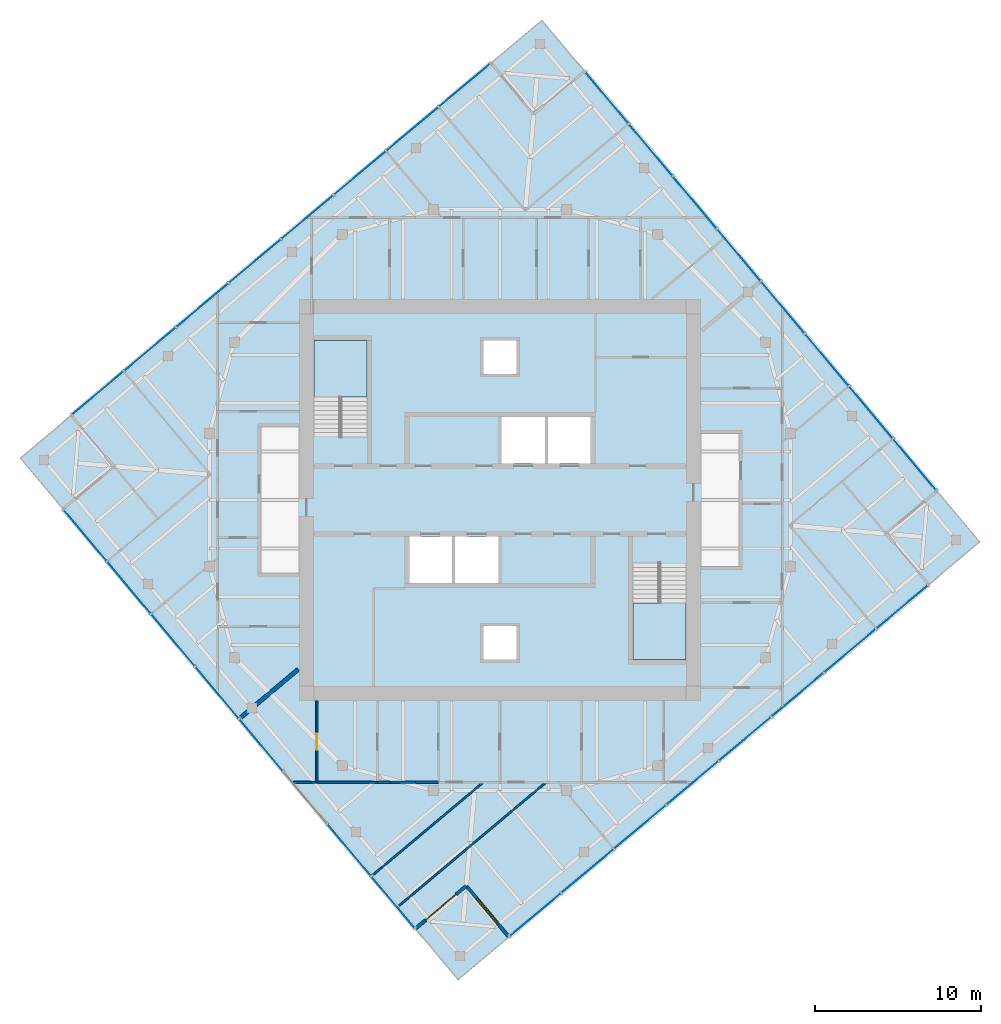
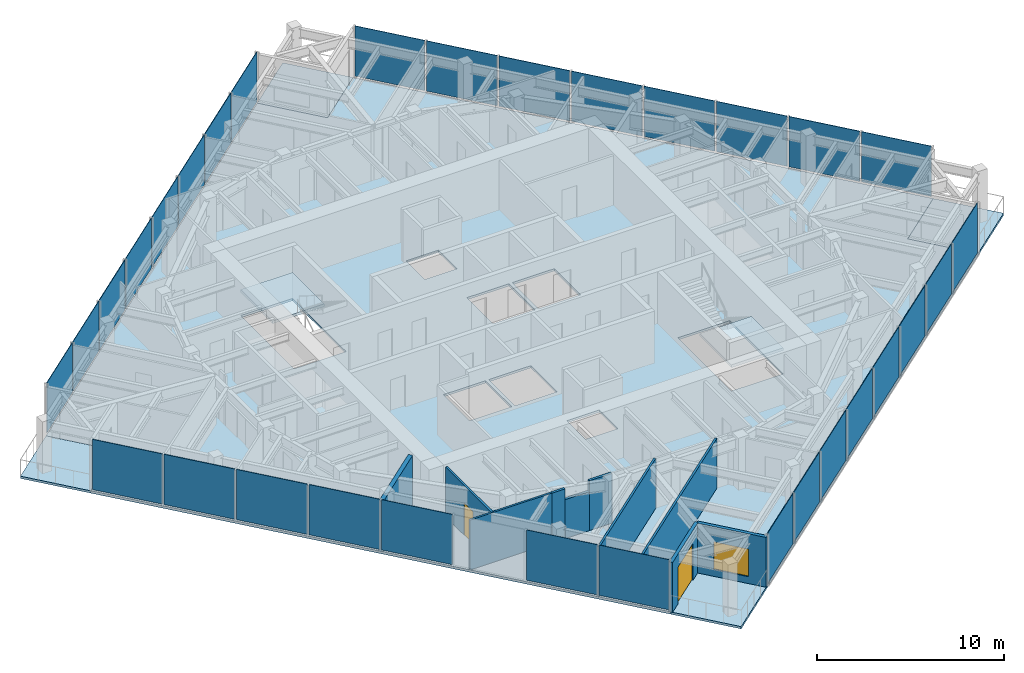
# One storey, part 6 of 11: 31 plates, 10 walls, 7 slabs, 2 doors, 1 window, 3 openings, 6 elements without a shape of their own.
"""IFC4 building model written with IfcOpenShell, lengths in metres."""

from ifc_helpers import new_model, si_unit, direction, frame, frame_2d, origin, origin_2d, place, context, subcontext, project, spatial, polyline, rectangle, outline, extrude, material, layer, layer_set, type_object, element, fill, aggregate, save


model = new_model("IFC4")

# Units and contexts
model_context = context("Model", 3, precision=1e-05, world=origin(), true_north=direction((0.0, 1.0)))
body_context = subcontext(model_context, "Body", "Model", "MODEL_VIEW")
ifc_project = project(units=[si_unit("LENGTHUNIT", "METRE"), si_unit("AREAUNIT", "SQUARE_METRE"), si_unit("VOLUMEUNIT", "CUBIC_METRE"), si_unit("PLANEANGLEUNIT", "RADIAN"), si_unit("MASSUNIT", "GRAM", prefix="KILO")], contexts=[model_context])

# Site, building, storey
site_placement = place(None, origin())
site = spatial("IfcSite", under=ifc_project, at=site_placement, CompositionType="ELEMENT")
building_placement = place(site_placement, origin())
building = spatial("IfcBuilding", under=site, at=building_placement, Name="Torsade Residences", CompositionType="ELEMENT")
storey_placement = place(building_placement, frame((0.0, 0.0, 276.0)))
storey = spatial("IfcBuildingStorey", under=building, at=storey_placement, Name="L76", CompositionType="ELEMENT", Elevation=276.0)

# Slab
ifc_material_1 = material(Name="Concrete 40 MPa", Category="concrete")
ifc_layer_1 = layer(ifc_material_1, 0.14990234375)
ifc_layer_set_1 = layer_set([ifc_layer_1], Name="Concrete 40 MPa")
slab_type_1 = type_object("IfcSlabType", Name="COMPOSITE FLOOR SLAB 150", PredefinedType="FLOOR", material=ifc_layer_set_1)
slab_1_placement = place(storey_placement, frame((0.0, 0.0, -0.14990234375)))
element("IfcSlab", 1, at=slab_1_placement, inside=storey, type_object=slab_type_1, Name="Floor slab L76", PredefinedType="FLOOR", context=body_context, shape_type="SweptSolid", body=[
    extrude(outline(polyline([(40.537353515625, 3.690185546875), (65.81689453125, 24.902099609375), (63.245849609375, 27.96630859375), (66.309814453125, 30.537353515625), (45.097900390625, 55.81689453125), (42.03369140625, 53.245849609375), (39.462646484375, 56.309814453125), (14.18310546875, 35.097900390625), (16.754150390625, 32.03369140625), (13.690185546875, 29.462646484375), (34.902099609375, 4.18310546875), (37.96630859375, 6.754150390625), (40.537353515625, 3.690185546875)]), holes=[polyline([(51.199951171875, 26.1201171875), (48.0, 26.1201171875), (48.0, 20.39990234375), (51.199951171875, 20.39990234375), (51.199951171875, 26.1201171875)]), polyline([(45.5, 35.0), (42.89990234375, 35.0), (42.89990234375, 32.199951171875), (45.5, 32.199951171875), (45.5, 35.0)]), polyline([(42.699951171875, 35.0), (40.10009765625, 35.0), (40.10009765625, 32.199951171875), (42.699951171875, 32.199951171875), (42.699951171875, 35.0)]), polyline([(41.0, 22.39990234375), (39.0, 22.39990234375), (39.0, 20.39990234375), (41.0, 20.39990234375), (41.0, 22.39990234375)]), polyline([(41.0, 39.60009765625), (39.0, 39.60009765625), (39.0, 37.60009765625), (41.0, 37.60009765625), (41.0, 39.60009765625)]), polyline([(39.89990234375, 27.800048828125), (37.300048828125, 27.800048828125), (37.300048828125, 25.0), (39.89990234375, 25.0), (39.89990234375, 27.800048828125)]), polyline([(37.10009765625, 27.800048828125), (34.5, 27.800048828125), (34.5, 25.0), (37.10009765625, 25.0), (37.10009765625, 27.800048828125)]), polyline([(32.0, 39.60009765625), (28.800048828125, 39.60009765625), (28.800048828125, 33.8798828125), (32.0, 33.8798828125), (32.0, 39.60009765625)])]), origin(), (0.0, 0.0, 1.0), 0.14990234375),
])

# Curtain wall, plates
ifc_material_2 = material(Name="Aluminium and glass", Category="aluminium")
curtain_wall_type = type_object("IfcCurtainWallType", Name="FRITTED GLASS CURTAIN WALL HIGH ZONE", PredefinedType="NOTDEFINED", material=ifc_material_2)
curtain_wall_1_placement = place(storey_placement, origin())
curtain_wall_1 = element("IfcCurtainWall", 2, at=curtain_wall_1_placement, inside=storey, type_object=curtain_wall_type, Name="Curtain wall L76 face 1", PredefinedType="NOTDEFINED")
ifc_material_3 = material(Name="Laminated glass", Category="glass")
ifc_layer_2 = layer(ifc_material_3, 0.031982421875)
ifc_layer_set_2 = layer_set([ifc_layer_2], Name="Laminated glass")
plate_type_1 = type_object("IfcPlateType", Name="FRITTED GLASS PANEL", PredefinedType="CURTAIN_PANEL", material=ifc_layer_set_2)
plate_1_placement = place(storey_placement, frame((42.136474609375, 5.031982421875, 0.1201171875), z_axis=(0.0, 0.0, 1.0), x_axis=(0.766044437106, 0.642787616853, 0.0)))
plate_1 = element("IfcPlate", 3, at=plate_1_placement, type_object=plate_type_1, Name="Panel 1", PredefinedType="CURTAIN_PANEL", context=body_context, shape_type="SweptSolid", body=[
    extrude(rectangle(XDim=3.97509765625, YDim=0.031982421875, at=origin_2d()), origin(), (0.0, 0.0, 1.0), 3.280029296875),
])
plate_2_placement = place(storey_placement, frame((48.437255859375, 10.31884765625, 0.1201171875), z_axis=(0.0, 0.0, 1.0), x_axis=(0.766044437106, 0.642787616853, 0.0)))
plate_2 = element("IfcPlate", 4, at=plate_2_placement, type_object=plate_type_1, Name="Panel 3", PredefinedType="CURTAIN_PANEL", context=body_context, shape_type="SweptSolid", body=[
    extrude(rectangle(XDim=4.02490234375, YDim=0.031982421875, at=origin_2d()), origin(), (0.0, 0.0, 1.0), 3.280029296875),
])
plate_3_placement = place(storey_placement, frame((51.59716796875, 12.970458984375, 0.1201171875), z_axis=(0.0, 0.0, 1.0), x_axis=(0.766044437106, 0.642787616853, 0.0)))
plate_3 = element("IfcPlate", 5, at=plate_3_placement, type_object=plate_type_1, Name="Panel 4", PredefinedType="CURTAIN_PANEL", context=body_context, shape_type="SweptSolid", body=[
    extrude(rectangle(XDim=4.02490234375, YDim=0.031982421875, at=origin_2d()), origin(), (0.0, 0.0, 1.0), 3.280029296875),
])
plate_4_placement = place(storey_placement, frame((54.757080078125, 15.621826171875, 0.1201171875), z_axis=(0.0, 0.0, 1.0), x_axis=(0.766044437106, 0.642787616853, 0.0)))
plate_4 = element("IfcPlate", 6, at=plate_4_placement, type_object=plate_type_1, Name="Panel 5", PredefinedType="CURTAIN_PANEL", context=body_context, shape_type="SweptSolid", body=[
    extrude(rectangle(XDim=4.02490234375, YDim=0.031982421875, at=origin_2d()), origin(), (0.0, 0.0, 1.0), 3.280029296875),
])
plate_5_placement = place(storey_placement, frame((61.076904296875, 20.9248046875, 0.1201171875), z_axis=(0.0, 0.0, 1.0), x_axis=(0.766044437106, 0.642787616853, 0.0)))
plate_5 = element("IfcPlate", 7, at=plate_5_placement, type_object=plate_type_1, Name="Panel 7", PredefinedType="CURTAIN_PANEL", context=body_context, shape_type="SweptSolid", body=[
    extrude(rectangle(XDim=4.02490234375, YDim=0.031982421875, at=origin_2d()), origin(), (0.0, 0.0, 1.0), 3.280029296875),
])
plate_6_placement = place(storey_placement, frame((64.2177734375, 23.560302734375, 0.1201171875), z_axis=(0.0, 0.0, 1.0), x_axis=(0.766044437106, 0.642787616853, 0.0)))
plate_6 = element("IfcPlate", 8, at=plate_6_placement, type_object=plate_type_1, Name="Panel 8", PredefinedType="CURTAIN_PANEL", context=body_context, shape_type="SweptSolid", body=[
    extrude(rectangle(XDim=3.97509765625, YDim=0.031982421875, at=origin_2d()), origin(), (0.0, 0.0, 1.0), 3.280029296875),
])

curtain_wall_2_placement = place(storey_placement, origin())
curtain_wall_2 = element("IfcCurtainWall", 9, at=curtain_wall_2_placement, inside=storey, type_object=curtain_wall_type, Name="Curtain wall L76 face 4", PredefinedType="NOTDEFINED")
plate_7_placement = place(storey_placement, frame((64.968017578125, 32.136474609375, 0.1201171875), z_axis=(0.0, 0.0, 1.0), x_axis=(-0.642787616853, 0.766044437106, 0.0)))
plate_7 = element("IfcPlate", 10, at=plate_7_placement, type_object=plate_type_1, Name="Panel 1", PredefinedType="CURTAIN_PANEL", context=body_context, shape_type="SweptSolid", body=[
    extrude(rectangle(XDim=3.97509765625, YDim=0.031982421875, at=origin_2d()), origin(), (0.0, 0.0, 1.0), 3.280029296875),
])
plate_8_placement = place(storey_placement, frame((59.68115234375, 38.437255859375, 0.1201171875), z_axis=(0.0, 0.0, 1.0), x_axis=(-0.642787616853, 0.766044437106, 0.0)))
plate_8 = element("IfcPlate", 11, at=plate_8_placement, type_object=plate_type_1, Name="Panel 3", PredefinedType="CURTAIN_PANEL", context=body_context, shape_type="SweptSolid", body=[
    extrude(rectangle(XDim=4.02490234375, YDim=0.031982421875, at=origin_2d()), origin(), (0.0, 0.0, 1.0), 3.280029296875),
])
plate_9_placement = place(storey_placement, frame((57.029541015625, 41.59716796875, 0.1201171875), z_axis=(0.0, 0.0, 1.0), x_axis=(-0.642787616853, 0.766044437106, 0.0)))
plate_9 = element("IfcPlate", 12, at=plate_9_placement, type_object=plate_type_1, Name="Panel 4", PredefinedType="CURTAIN_PANEL", context=body_context, shape_type="SweptSolid", body=[
    extrude(rectangle(XDim=4.02490234375, YDim=0.031982421875, at=origin_2d()), origin(), (0.0, 0.0, 1.0), 3.280029296875),
])
plate_10_placement = place(storey_placement, frame((54.378173828125, 44.757080078125, 0.1201171875), z_axis=(0.0, 0.0, 1.0), x_axis=(-0.642787616853, 0.766044437106, 0.0)))
plate_10 = element("IfcPlate", 13, at=plate_10_placement, type_object=plate_type_1, Name="Panel 5", PredefinedType="CURTAIN_PANEL", context=body_context, shape_type="SweptSolid", body=[
    extrude(rectangle(XDim=4.02490234375, YDim=0.031982421875, at=origin_2d()), origin(), (0.0, 0.0, 1.0), 3.280029296875),
])
plate_11_placement = place(storey_placement, frame((49.0751953125, 51.076904296875, 0.1201171875), z_axis=(0.0, 0.0, 1.0), x_axis=(-0.642787616853, 0.766044437106, 0.0)))
plate_11 = element("IfcPlate", 14, at=plate_11_placement, type_object=plate_type_1, Name="Panel 7", PredefinedType="CURTAIN_PANEL", context=body_context, shape_type="SweptSolid", body=[
    extrude(rectangle(XDim=4.02490234375, YDim=0.031982421875, at=origin_2d()), origin(), (0.0, 0.0, 1.0), 3.280029296875),
])
plate_12_placement = place(storey_placement, frame((46.439697265625, 54.2177734375, 0.1201171875), z_axis=(0.0, 0.0, 1.0), x_axis=(-0.642787616853, 0.766044437106, 0.0)))
plate_12 = element("IfcPlate", 15, at=plate_12_placement, type_object=plate_type_1, Name="Panel 8", PredefinedType="CURTAIN_PANEL", context=body_context, shape_type="SweptSolid", body=[
    extrude(rectangle(XDim=3.97509765625, YDim=0.031982421875, at=origin_2d()), origin(), (0.0, 0.0, 1.0), 3.280029296875),
])

curtain_wall_3_placement = place(storey_placement, origin())
curtain_wall_3 = element("IfcCurtainWall", 16, at=curtain_wall_3_placement, inside=storey, type_object=curtain_wall_type, Name="Curtain wall L76 face 7", PredefinedType="NOTDEFINED")
plate_13_placement = place(storey_placement, frame((37.863525390625, 54.968017578125, 0.1201171875), z_axis=(0.0, 0.0, 1.0), x_axis=(-0.766044437106, -0.642787616853, 0.0)))
plate_13 = element("IfcPlate", 17, at=plate_13_placement, type_object=plate_type_1, Name="Panel 1", PredefinedType="CURTAIN_PANEL", context=body_context, shape_type="SweptSolid", body=[
    extrude(rectangle(XDim=3.97509765625, YDim=0.031982421875, at=origin_2d()), origin(), (0.0, 0.0, 1.0), 3.280029296875),
])
plate_14_placement = place(storey_placement, frame((31.562744140625, 49.68115234375, 0.1201171875), z_axis=(0.0, 0.0, 1.0), x_axis=(-0.766044437106, -0.642787616853, 0.0)))
plate_14 = element("IfcPlate", 18, at=plate_14_placement, type_object=plate_type_1, Name="Panel 3", PredefinedType="CURTAIN_PANEL", context=body_context, shape_type="SweptSolid", body=[
    extrude(rectangle(XDim=4.02490234375, YDim=0.031982421875, at=origin_2d()), origin(), (0.0, 0.0, 1.0), 3.280029296875),
])
plate_15_placement = place(storey_placement, frame((28.40283203125, 47.029541015625, 0.1201171875), z_axis=(0.0, 0.0, 1.0), x_axis=(-0.766044437106, -0.642787616853, 0.0)))
plate_15 = element("IfcPlate", 19, at=plate_15_placement, type_object=plate_type_1, Name="Panel 4", PredefinedType="CURTAIN_PANEL", context=body_context, shape_type="SweptSolid", body=[
    extrude(rectangle(XDim=4.02490234375, YDim=0.031982421875, at=origin_2d()), origin(), (0.0, 0.0, 1.0), 3.280029296875),
])
plate_16_placement = place(storey_placement, frame((25.242919921875, 44.378173828125, 0.1201171875), z_axis=(0.0, 0.0, 1.0), x_axis=(-0.766044437106, -0.642787616853, 0.0)))
plate_16 = element("IfcPlate", 20, at=plate_16_placement, type_object=plate_type_1, Name="Panel 5", PredefinedType="CURTAIN_PANEL", context=body_context, shape_type="SweptSolid", body=[
    extrude(rectangle(XDim=4.02490234375, YDim=0.031982421875, at=origin_2d()), origin(), (0.0, 0.0, 1.0), 3.280029296875),
])
plate_17_placement = place(storey_placement, frame((18.923095703125, 39.0751953125, 0.1201171875), z_axis=(0.0, 0.0, 1.0), x_axis=(-0.766044437106, -0.642787616853, 0.0)))
plate_17 = element("IfcPlate", 21, at=plate_17_placement, type_object=plate_type_1, Name="Panel 7", PredefinedType="CURTAIN_PANEL", context=body_context, shape_type="SweptSolid", body=[
    extrude(rectangle(XDim=4.02490234375, YDim=0.031982421875, at=origin_2d()), origin(), (0.0, 0.0, 1.0), 3.280029296875),
])
plate_18_placement = place(storey_placement, frame((15.7822265625, 36.439697265625, 0.1201171875), z_axis=(0.0, 0.0, 1.0), x_axis=(-0.766044437106, -0.642787616853, 0.0)))
plate_18 = element("IfcPlate", 22, at=plate_18_placement, type_object=plate_type_1, Name="Panel 8", PredefinedType="CURTAIN_PANEL", context=body_context, shape_type="SweptSolid", body=[
    extrude(rectangle(XDim=3.97509765625, YDim=0.031982421875, at=origin_2d()), origin(), (0.0, 0.0, 1.0), 3.280029296875),
])

curtain_wall_4_placement = place(storey_placement, origin())
curtain_wall_4 = element("IfcCurtainWall", 23, at=curtain_wall_4_placement, inside=storey, type_object=curtain_wall_type, Name="Curtain wall L76 face 10", PredefinedType="NOTDEFINED")
plate_19_placement = place(storey_placement, frame((15.031982421875, 27.863525390625, 0.1201171875), z_axis=(0.0, 0.0, 1.0), x_axis=(0.642787616853, -0.766044437106, 0.0)))
plate_19 = element("IfcPlate", 24, at=plate_19_placement, type_object=plate_type_1, Name="Panel 1", PredefinedType="CURTAIN_PANEL", context=body_context, shape_type="SweptSolid", body=[
    extrude(rectangle(XDim=3.97509765625, YDim=0.031982421875, at=origin_2d()), origin(), (0.0, 0.0, 1.0), 3.280029296875),
])
plate_20_placement = place(storey_placement, frame((20.31884765625, 21.562744140625, 0.1201171875), z_axis=(0.0, 0.0, 1.0), x_axis=(0.642787616853, -0.766044437106, 0.0)))
plate_20 = element("IfcPlate", 25, at=plate_20_placement, type_object=plate_type_1, Name="Panel 3", PredefinedType="CURTAIN_PANEL", context=body_context, shape_type="SweptSolid", body=[
    extrude(rectangle(XDim=4.02490234375, YDim=0.031982421875, at=origin_2d()), origin(), (0.0, 0.0, 1.0), 3.280029296875),
])
plate_21_placement = place(storey_placement, frame((22.970458984375, 18.40283203125, 0.1201171875), z_axis=(0.0, 0.0, 1.0), x_axis=(0.642787616853, -0.766044437106, 0.0)))
plate_21 = element("IfcPlate", 26, at=plate_21_placement, type_object=plate_type_1, Name="Panel 4", PredefinedType="CURTAIN_PANEL", context=body_context, shape_type="SweptSolid", body=[
    extrude(rectangle(XDim=4.02490234375, YDim=0.031982421875, at=origin_2d()), origin(), (0.0, 0.0, 1.0), 3.280029296875),
])
plate_22_placement = place(storey_placement, frame((25.621826171875, 15.242919921875, 0.1201171875), z_axis=(0.0, 0.0, 1.0), x_axis=(0.642787616853, -0.766044437106, 0.0)))
plate_22 = element("IfcPlate", 27, at=plate_22_placement, type_object=plate_type_1, Name="Panel 5", PredefinedType="CURTAIN_PANEL", context=body_context, shape_type="SweptSolid", body=[
    extrude(rectangle(XDim=4.02490234375, YDim=0.031982421875, at=origin_2d()), origin(), (0.0, 0.0, 1.0), 3.280029296875),
])
plate_23_placement = place(storey_placement, frame((30.9248046875, 8.923095703125, 0.1201171875), z_axis=(0.0, 0.0, 1.0), x_axis=(0.642787616853, -0.766044437106, 0.0)))
plate_23 = element("IfcPlate", 28, at=plate_23_placement, type_object=plate_type_1, Name="Panel 7", PredefinedType="CURTAIN_PANEL", context=body_context, shape_type="SweptSolid", body=[
    extrude(rectangle(XDim=4.02490234375, YDim=0.031982421875, at=origin_2d()), origin(), (0.0, 0.0, 1.0), 3.280029296875),
])
plate_24_placement = place(storey_placement, frame((33.560302734375, 5.7822265625, 0.1201171875), z_axis=(0.0, 0.0, 1.0), x_axis=(0.642787616853, -0.766044437106, 0.0)))
plate_24 = element("IfcPlate", 29, at=plate_24_placement, type_object=plate_type_1, Name="Panel 8", PredefinedType="CURTAIN_PANEL", context=body_context, shape_type="SweptSolid", body=[
    extrude(rectangle(XDim=3.97509765625, YDim=0.031982421875, at=origin_2d()), origin(), (0.0, 0.0, 1.0), 3.280029296875),
])

# Plate
ifc_material_4 = material(Name="Laminated glass", Category="glass")
ifc_layer_3 = layer(ifc_material_4, 0.0400390625)
ifc_layer_set_3 = layer_set([ifc_layer_3], Name="Laminated glass")
plate_type_2 = type_object("IfcPlateType", Name="OPERABLE VENT PANEL", PredefinedType="CURTAIN_PANEL", material=ifc_layer_set_3)
plate_25_placement = place(storey_placement, frame((45.27734375, 7.667236328125, 0.1201171875), z_axis=(0.0, 0.0, 1.0), x_axis=(0.766044437106, 0.642787616853, 0.0)))
plate_25 = element("IfcPlate", 30, at=plate_25_placement, type_object=plate_type_2, Name="Panel 2", PredefinedType="CURTAIN_PANEL", context=body_context, shape_type="SweptSolid", body=[
    extrude(rectangle(XDim=4.02490234375, YDim=0.0400390625, at=origin_2d()), origin(), (0.0, 0.0, 1.0), 3.280029296875),
])

plate_26_placement = place(storey_placement, frame((57.9169921875, 18.2734375, 0.1201171875), z_axis=(0.0, 0.0, 1.0), x_axis=(0.766044437106, 0.642787616853, 0.0)))
plate_26 = element("IfcPlate", 31, at=plate_26_placement, type_object=plate_type_2, Name="Panel 6", PredefinedType="CURTAIN_PANEL", context=body_context, shape_type="SweptSolid", body=[
    extrude(rectangle(XDim=4.02490234375, YDim=0.0400390625, at=origin_2d()), origin(), (0.0, 0.0, 1.0), 3.280029296875),
])

aggregate(curtain_wall_1, [plate_1, plate_25, plate_2, plate_3, plate_4, plate_26, plate_5, plate_6])

plate_27_placement = place(storey_placement, frame((62.332763671875, 35.27734375, 0.1201171875), z_axis=(0.0, 0.0, 1.0), x_axis=(-0.642787616853, 0.766044437106, 0.0)))
plate_27 = element("IfcPlate", 32, at=plate_27_placement, type_object=plate_type_2, Name="Panel 2", PredefinedType="CURTAIN_PANEL", context=body_context, shape_type="SweptSolid", body=[
    extrude(rectangle(XDim=4.02490234375, YDim=0.0400390625, at=origin_2d()), origin(), (0.0, 0.0, 1.0), 3.280029296875),
])

plate_28_placement = place(storey_placement, frame((51.7265625, 47.9169921875, 0.1201171875), z_axis=(0.0, 0.0, 1.0), x_axis=(-0.642787616853, 0.766044437106, 0.0)))
plate_28 = element("IfcPlate", 33, at=plate_28_placement, type_object=plate_type_2, Name="Panel 6", PredefinedType="CURTAIN_PANEL", context=body_context, shape_type="SweptSolid", body=[
    extrude(rectangle(XDim=4.02490234375, YDim=0.0400390625, at=origin_2d()), origin(), (0.0, 0.0, 1.0), 3.280029296875),
])

aggregate(curtain_wall_2, [plate_7, plate_27, plate_8, plate_9, plate_10, plate_28, plate_11, plate_12])

plate_29_placement = place(storey_placement, frame((34.72265625, 52.332763671875, 0.1201171875), z_axis=(0.0, 0.0, 1.0), x_axis=(-0.766044437106, -0.642787616853, 0.0)))
plate_29 = element("IfcPlate", 34, at=plate_29_placement, type_object=plate_type_2, Name="Panel 2", PredefinedType="CURTAIN_PANEL", context=body_context, shape_type="SweptSolid", body=[
    extrude(rectangle(XDim=4.02490234375, YDim=0.0400390625, at=origin_2d()), origin(), (0.0, 0.0, 1.0), 3.280029296875),
])

plate_30_placement = place(storey_placement, frame((22.0830078125, 41.7265625, 0.1201171875), z_axis=(0.0, 0.0, 1.0), x_axis=(-0.766044437106, -0.642787616853, 0.0)))
plate_30 = element("IfcPlate", 35, at=plate_30_placement, type_object=plate_type_2, Name="Panel 6", PredefinedType="CURTAIN_PANEL", context=body_context, shape_type="SweptSolid", body=[
    extrude(rectangle(XDim=4.02490234375, YDim=0.0400390625, at=origin_2d()), origin(), (0.0, 0.0, 1.0), 3.280029296875),
])

aggregate(curtain_wall_3, [plate_13, plate_29, plate_14, plate_15, plate_16, plate_30, plate_17, plate_18])

plate_31_placement = place(storey_placement, frame((17.667236328125, 24.72265625, 0.1201171875), z_axis=(0.0, 0.0, 1.0), x_axis=(0.642787616853, -0.766044437106, 0.0)))
plate_31 = element("IfcPlate", 36, at=plate_31_placement, type_object=plate_type_2, Name="Panel 2", PredefinedType="CURTAIN_PANEL", context=body_context, shape_type="SweptSolid", body=[
    extrude(rectangle(XDim=4.02490234375, YDim=0.0400390625, at=origin_2d()), origin(), (0.0, 0.0, 1.0), 3.280029296875),
])

aggregate(curtain_wall_4, [plate_19, plate_31, plate_20, plate_21, plate_22, plate_23, plate_24])

# Stair, slab
ifc_material_5 = material(Name="Precast concrete 40 MPa", Category="concrete")
stair_type = type_object("IfcStairType", Name="HALF-TURN FIRE STAIR 1500x3400", PredefinedType="HALF_TURN_STAIR", material=ifc_material_5)
stair_1_placement = place(storey_placement, origin())
stair_1 = element("IfcStair", 37, at=stair_1_placement, inside=storey, type_object=stair_type, Name="Stair ST1 L76", PredefinedType="HALF_TURN_STAIR")
ifc_material_6 = material(Name="Precast concrete 40 MPa", Category="concrete")
ifc_layer_4 = layer(ifc_material_6, 0.179931640625)
ifc_layer_set_4 = layer_set([ifc_layer_4], Name="Precast concrete 40 MPa")
slab_type_2 = type_object("IfcSlabType", Name="PRECAST STAIR LANDING 180", PredefinedType="LANDING", material=ifc_layer_set_4)
slab_2_placement = place(storey_placement, frame((0.0, 0.0, 1.52001953125)))
slab_2 = element("IfcSlab", 38, at=slab_2_placement, type_object=slab_type_2, Name="ST1 landing 1", PredefinedType="LANDING", context=body_context, shape_type="SweptSolid", body=[
    extrude(outline(polyline([(28.800048828125, 36.2099609375), (32.0, 36.2099609375), (32.0, 39.60009765625), (28.800048828125, 39.60009765625), (28.800048828125, 36.2099609375)])), origin(), (0.0, 0.0, 1.0), 0.179931640625),
])
aggregate(stair_1, [slab_2])

stair_2_placement = place(storey_placement, origin())
stair_2 = element("IfcStair", 39, at=stair_2_placement, inside=storey, type_object=stair_type, Name="Stair ST2 L76", PredefinedType="HALF_TURN_STAIR")
slab_3_placement = place(storey_placement, frame((0.0, 0.0, 1.52001953125)))
slab_3 = element("IfcSlab", 40, at=slab_3_placement, type_object=slab_type_2, Name="ST2 landing 1", PredefinedType="LANDING", context=body_context, shape_type="SweptSolid", body=[
    extrude(outline(polyline([(48.0, 20.39990234375), (51.199951171875, 20.39990234375), (51.199951171875, 23.7900390625), (48.0, 23.7900390625), (48.0, 20.39990234375)])), origin(), (0.0, 0.0, 1.0), 0.179931640625),
])
aggregate(stair_2, [slab_3])

# Slabs
ifc_material_7 = material(Name="Concrete 40 MPa", Category="concrete")
ifc_layer_5 = layer(ifc_material_7, 0.14990234375)
ifc_layer_set_5 = layer_set([ifc_layer_5], Name="Concrete 40 MPa")
slab_type_3 = type_object("IfcSlabType", Name="TERRACE SLAB 150", PredefinedType="FLOOR", material=ifc_layer_set_5)
slab_4_placement = place(storey_placement, frame((0.0, 0.0, -0.14990234375)))
element("IfcSlab", 41, at=slab_4_placement, inside=storey, type_object=slab_type_3, Name="Corner terrace slab SE L76", PredefinedType="FLOOR", context=body_context, shape_type="SweptSolid", body=[
    extrude(outline(polyline([(65.81689453125, 24.902099609375), (68.881103515625, 27.47314453125), (66.309814453125, 30.537353515625), (63.245849609375, 27.96630859375), (65.81689453125, 24.902099609375)])), origin(), (0.0, 0.0, 1.0), 0.14990234375),
])
slab_5_placement = place(storey_placement, frame((0.0, 0.0, -0.14990234375)))
element("IfcSlab", 42, at=slab_5_placement, inside=storey, type_object=slab_type_3, Name="Corner terrace slab NE L76", PredefinedType="FLOOR", context=body_context, shape_type="SweptSolid", body=[
    extrude(outline(polyline([(42.03369140625, 53.245849609375), (45.097900390625, 55.81689453125), (42.52685546875, 58.881103515625), (39.462646484375, 56.309814453125), (42.03369140625, 53.245849609375)])), origin(), (0.0, 0.0, 1.0), 0.14990234375),
])
slab_6_placement = place(storey_placement, frame((0.0, 0.0, -0.14990234375)))
element("IfcSlab", 43, at=slab_6_placement, inside=storey, type_object=slab_type_3, Name="Corner terrace slab NW L76", PredefinedType="FLOOR", context=body_context, shape_type="SweptSolid", body=[
    extrude(outline(polyline([(13.690185546875, 29.462646484375), (16.754150390625, 32.03369140625), (14.18310546875, 35.097900390625), (11.118896484375, 32.52685546875), (13.690185546875, 29.462646484375)])), origin(), (0.0, 0.0, 1.0), 0.14990234375),
])
slab_7_placement = place(storey_placement, frame((0.0, 0.0, -0.14990234375)))
element("IfcSlab", 44, at=slab_7_placement, inside=storey, type_object=slab_type_3, Name="Corner terrace slab SW L76", PredefinedType="FLOOR", context=body_context, shape_type="SweptSolid", body=[
    extrude(outline(polyline([(37.47314453125, 1.118896484375), (40.537353515625, 3.690185546875), (37.96630859375, 6.754150390625), (34.902099609375, 4.18310546875), (37.47314453125, 1.118896484375)])), origin(), (0.0, 0.0, 1.0), 0.14990234375),
])

# Wall, opening, door
ifc_material_8 = material(Name="Plasterboard on steel stud", Category="steel")
ifc_layer_6 = layer(ifc_material_8, 0.1201171875)
ifc_layer_set_6 = layer_set([ifc_layer_6], Name="Plasterboard on steel stud")
wall_type_1 = type_object("IfcWallType", Name="PARTITION 120", PredefinedType="PARTITIONING", material=ifc_layer_set_6)
wall_1_placement = place(storey_placement, frame((28.972412109375, 13.0, 0.0), z_axis=(0.0, 0.0, 1.0), x_axis=(0.0, 1.0, 0.0)))
wall_1 = element("IfcWall", 45, at=wall_1_placement, inside=storey, type_object=wall_type_1, Name="Partition L76", PredefinedType="PARTITIONING", context=body_context, shape_type="SweptSolid", body=[
    extrude(rectangle(XDim=4.89990234375, YDim=0.1201171875, at=frame_2d((2.449951171875, 0.0))), origin(), (0.0, 0.0, 1.0), 3.25),
])
opening_1_placement = place(wall_1_placement, frame((1.969970703125, 0.0, 0.0)))
opening_1 = element("IfcOpeningElement", 46, at=opening_1_placement, cuts=wall_1, Name="Opening D05", PredefinedType="OPENING", context=body_context, shape_type="SweptSolid", body=[
    extrude(rectangle(XDim=0.9599609375, YDim=2.10009765625, at=frame_2d((0.47998046875, 1.050048828125))), frame((0.0, 0.070068359375, 0.0), z_axis=(0.0, -1.0, 0.0), x_axis=(1.0, 0.0, 0.0)), (0.0, 0.0, 1.0), 0.14013671875),
])
ifc_material_9 = material(Name="Hollow-core timber door in a steel cavity frame", Category="steel")
door_type_1 = type_object("IfcDoorType", Name="BATHROOM CAVITY SLIDING DOOR 960", OperationType="SLIDING_TO_LEFT", PredefinedType="DOOR", material=ifc_material_9)
door_1_placement = place(opening_1_placement, origin())
door_1 = element("IfcDoor", 47, at=door_1_placement, inside=storey, type_object=door_type_1, Name="Door Ensuite to Dressing room", OperationType="SLIDING_TO_LEFT", OverallHeight=2.10009765625, OverallWidth=0.9599609375, PredefinedType="DOOR", context=body_context, shape_type="SweptSolid", body=[
    extrude(rectangle(XDim=0.9599609375, YDim=2.10009765625, at=frame_2d((0.47998046875, 1.050048828125))), frame((0.0, 0.02490234375, 0.0), z_axis=(0.0, -1.0, 0.0), x_axis=(1.0, 0.0, 0.0)), (0.0, 0.0, 1.0), 0.050048828125),
])
fill(opening_1, door_1)

# Walls
wall_2_placement = place(storey_placement, frame((32.625, 13.0, 0.0), z_axis=(0.0, 0.0, 1.0), x_axis=(-1.0, 0.0, 0.0)))
element("IfcWall", 48, at=wall_2_placement, inside=storey, type_object=wall_type_1, Name="Partition L76", PredefinedType="PARTITIONING", context=body_context, shape_type="SweptSolid", body=[
    extrude(rectangle(XDim=5.06884765625, YDim=0.1201171875, at=frame_2d((2.534423828125, 0.0))), origin(), (0.0, 0.0, 1.0), 3.25),
])
wall_3_placement = place(storey_placement, frame((33.843994140625, 5.50634765625, 0.0), z_axis=(0.0, 0.0, 1.0), x_axis=(0.766038517939, 0.642794670975, 0.0)))
element("IfcWall", 49, at=wall_3_placement, inside=storey, type_object=wall_type_1, Name="Partition L76", PredefinedType="PARTITIONING", context=body_context, shape_type="SweptSolid", body=[
    extrude(rectangle(XDim=11.657958984375, YDim=0.1201171875, at=frame_2d((5.8291015625, 0.0))), origin(), (0.0, 0.0, 1.0), 3.25),
])
wall_4_placement = place(storey_placement, frame((38.9921875, 13.0, 0.0), z_axis=(0.0, 0.0, 1.0), x_axis=(-0.766046785022, -0.642784818704, 0.0)))
element("IfcWall", 50, at=wall_4_placement, inside=storey, type_object=wall_type_1, Name="Partition L76", PredefinedType="PARTITIONING", context=body_context, shape_type="SweptSolid", body=[
    extrude(rectangle(XDim=8.760498046875, YDim=0.1201171875, at=frame_2d((4.38037109375, 0.0))), origin(), (0.0, 0.0, 1.0), 3.25),
])
ifc_material_10 = material(Name="Masonry-lined stud party wall", Category="masonry")
ifc_layer_7 = layer(ifc_material_10, 0.25)
ifc_layer_set_7 = layer_set([ifc_layer_7], Name="Masonry-lined stud party wall")
wall_type_2 = type_object("IfcWallType", Name="PARTY WALL 250", PredefinedType="PARTITIONING", material=ifc_layer_set_7)
wall_5_placement = place(storey_placement, frame((24.296142578125, 16.82275390625, 0.0), z_axis=(0.0, 0.0, 1.0), x_axis=(0.76603440109, 0.64279957712, 0.0)))
element("IfcWall", 51, at=wall_5_placement, inside=storey, type_object=wall_type_2, Name="Party wall L76", PredefinedType="PARTITIONING", context=body_context, shape_type="SweptSolid", body=[
    extrude(rectangle(XDim=4.6396484375, YDim=0.25, at=frame_2d((2.31982421875, 0.0))), origin(), (0.0, 0.0, 1.0), 3.25),
])
ifc_material_11 = material(Name="Reinforced blockwork", Category="masonry")
ifc_layer_8 = layer(ifc_material_11, 0.14990234375)
ifc_layer_set_8 = layer_set([ifc_layer_8], Name="Reinforced blockwork")
wall_type_3 = type_object("IfcWallType", Name="SERVICE ROOM WALL 150", PredefinedType="SOLIDWALL", material=ifc_layer_set_8)
wall_6_placement = place(storey_placement, frame((36.300537109375, 13.0, 0.0), z_axis=(0.0, 0.0, 1.0), x_axis=(-1.0, 0.0, 0.0)))
element("IfcWall", 52, at=wall_6_placement, inside=storey, type_object=wall_type_3, Name="Service room wall L76", PredefinedType="SOLIDWALL", context=body_context, shape_type="SweptSolid", body=[
    extrude(rectangle(XDim=1.3837890625, YDim=0.14990234375, at=frame_2d((0.69189453125, 0.0))), origin(), (0.0, 0.0, 1.0), 3.25),
])
wall_7_placement = place(storey_placement, frame((34.916748046875, 13.0, 0.0), z_axis=(0.0, 0.0, 1.0), x_axis=(-1.0, 0.0, 0.0)))
element("IfcWall", 53, at=wall_7_placement, inside=storey, type_object=wall_type_3, Name="Service room wall L76", PredefinedType="SOLIDWALL", context=body_context, shape_type="SweptSolid", body=[
    extrude(rectangle(XDim=1.500244140625, YDim=0.14990234375, at=frame_2d((0.75, 0.0))), origin(), (0.0, 0.0, 1.0), 2.549072265625),
])
wall_8_placement = place(storey_placement, frame((33.41650390625, 13.0, 0.0), z_axis=(0.0, 0.0, 1.0), x_axis=(-1.0, 0.0, 0.0)))
element("IfcWall", 54, at=wall_8_placement, inside=storey, type_object=wall_type_3, Name="Service room wall L76", PredefinedType="SOLIDWALL", context=body_context, shape_type="SweptSolid", body=[
    extrude(rectangle(XDim=0.79150390625, YDim=0.14990234375, at=frame_2d((0.395751953125, 0.0))), origin(), (0.0, 0.0, 1.0), 3.25),
])

# Wall, opening, door
ifc_material_12 = material(Name="Stone-faced precast concrete 40 MPa panel", Category="masonry")
ifc_layer_9 = layer(ifc_material_12, 0.199951171875)
ifc_layer_set_9 = layer_set([ifc_layer_9], Name="Stone-faced precast concrete 40 MPa panel")
wall_type_4 = type_object("IfcWallType", Name="TERRACE WALL 200", PredefinedType="SOLIDWALL", material=ifc_layer_set_9)
wall_9_placement = place(storey_placement, frame((34.902099609375, 4.18310546875, 0.0), z_axis=(0.0, 0.0, 1.0), x_axis=(0.766060656284, 0.642768287094, 0.0)))
wall_9 = element("IfcWall", 55, at=wall_9_placement, inside=storey, type_object=wall_type_4, Name="Terrace wall L76 11", PredefinedType="SOLIDWALL", context=body_context, shape_type="SweptSolid", body=[
    extrude(rectangle(XDim=4.0, YDim=0.199951171875, at=frame_2d((2.0, 0.0))), origin(), (0.0, 0.0, 1.0), 3.25),
])
opening_2_placement = place(wall_9_placement, frame((0.800048828125, 0.0, 0.0)))
opening_2 = element("IfcOpeningElement", 56, at=opening_2_placement, cuts=wall_9, Name="Opening D10", PredefinedType="OPENING", context=body_context, shape_type="SweptSolid", body=[
    extrude(rectangle(XDim=2.39990234375, YDim=2.39990234375, at=frame_2d((1.199951171875, 1.199951171875))), frame((0.0, 0.10986328125, 0.0), z_axis=(0.0, -1.0, 0.0), x_axis=(1.0, 0.0, 0.0)), (0.0, 0.0, 1.0), 0.219970703125),
])
ifc_material_13 = material(Name="Aluminium-framed glass door", Category="aluminium")
door_type_2 = type_object("IfcDoorType", Name="TERRACE SLIDING DOOR 2400", OperationType="SLIDING_TO_LEFT", PredefinedType="DOOR", material=ifc_material_13)
door_2_placement = place(opening_2_placement, origin())
door_2 = element("IfcDoor", 57, at=door_2_placement, inside=storey, type_object=door_type_2, Name="Terrace door L76 11", OperationType="SLIDING_TO_LEFT", OverallHeight=2.39990234375, OverallWidth=2.39990234375, PredefinedType="DOOR", context=body_context, shape_type="SweptSolid", body=[
    extrude(rectangle(XDim=2.39990234375, YDim=2.39990234375, at=frame_2d((1.199951171875, 1.199951171875))), frame((0.0, 0.02490234375, 0.0), z_axis=(0.0, -1.0, 0.0), x_axis=(1.0, 0.0, 0.0)), (0.0, 0.0, 1.0), 0.050048828125),
])
fill(opening_2, door_2)

# Wall, opening, window
wall_10_placement = place(storey_placement, frame((37.96630859375, 6.754150390625, 0.0), z_axis=(0.0, 0.0, 1.0), x_axis=(0.642798342015, -0.766035437498, 0.0)))
wall_10 = element("IfcWall", 58, at=wall_10_placement, inside=storey, type_object=wall_type_4, Name="Terrace wall L76 12", PredefinedType="SOLIDWALL", context=body_context, shape_type="SweptSolid", body=[
    extrude(rectangle(XDim=3.999755859375, YDim=0.199951171875, at=frame_2d((2.0, 0.0))), origin(), (0.0, 0.0, 1.0), 3.25),
])
opening_3_placement = place(wall_10_placement, frame((1.0, 0.0, 0.449951171875)))
opening_3 = element("IfcOpeningElement", 59, at=opening_3_placement, cuts=wall_10, Name="Opening W1B", PredefinedType="OPENING", context=body_context, shape_type="SweptSolid", body=[
    extrude(rectangle(XDim=2.0, YDim=1.800048828125, at=frame_2d((1.0, 0.89990234375))), frame((0.0, 0.10986328125, 0.0), z_axis=(0.0, -1.0, 0.0), x_axis=(1.0, 0.0, 0.0)), (0.0, 0.0, 1.0), 0.219970703125),
])
ifc_material_14 = material(Name="Aluminium-framed glass window", Category="aluminium")
window_type = type_object("IfcWindowType", Name="TERRACE WINDOW 2000x1800", PartitioningType="SINGLE_PANEL", PredefinedType="WINDOW", material=ifc_material_14)
window_placement = place(opening_3_placement, origin())
window = element("IfcWindow", 60, at=window_placement, inside=storey, type_object=window_type, Name="Terrace window L76 12", OverallHeight=1.800048828125, OverallWidth=2.0, PartitioningType="SINGLE_PANEL", PredefinedType="WINDOW", context=body_context, shape_type="SweptSolid", body=[
    extrude(rectangle(XDim=2.0, YDim=1.800048828125, at=frame_2d((1.0, 0.89990234375))), frame((0.0, 0.030029296875, 0.0), z_axis=(0.0, -1.0, 0.0), x_axis=(1.0, 0.0, 0.0)), (0.0, 0.0, 1.0), 0.06005859375),
])
fill(opening_3, window)

save(model, "model.ifc")
